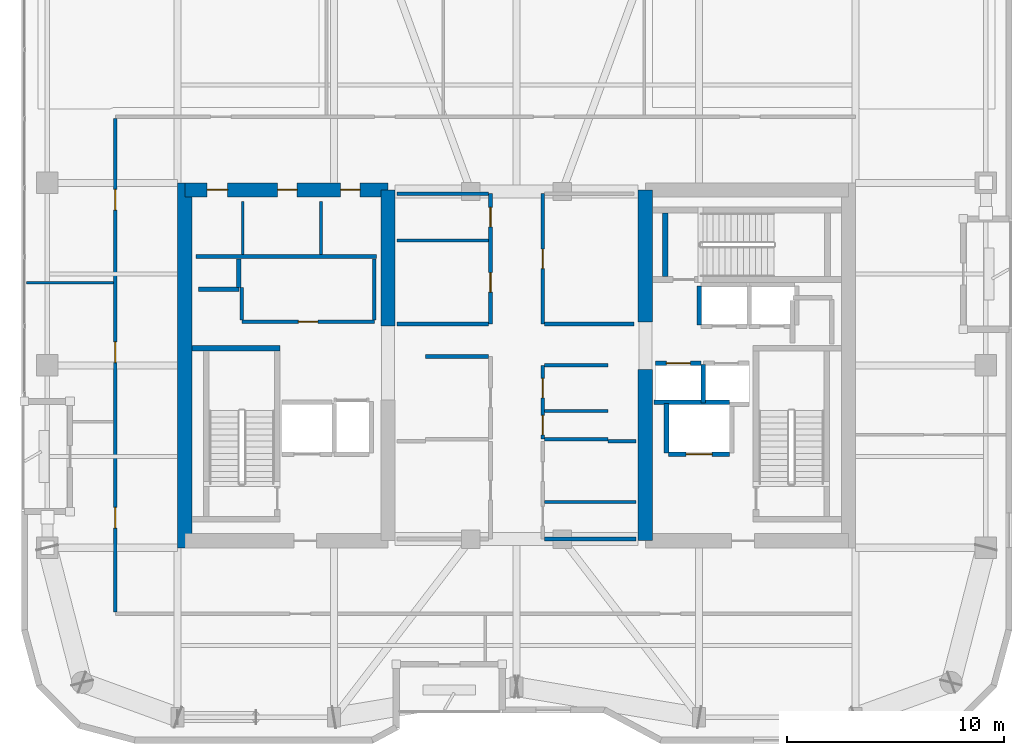
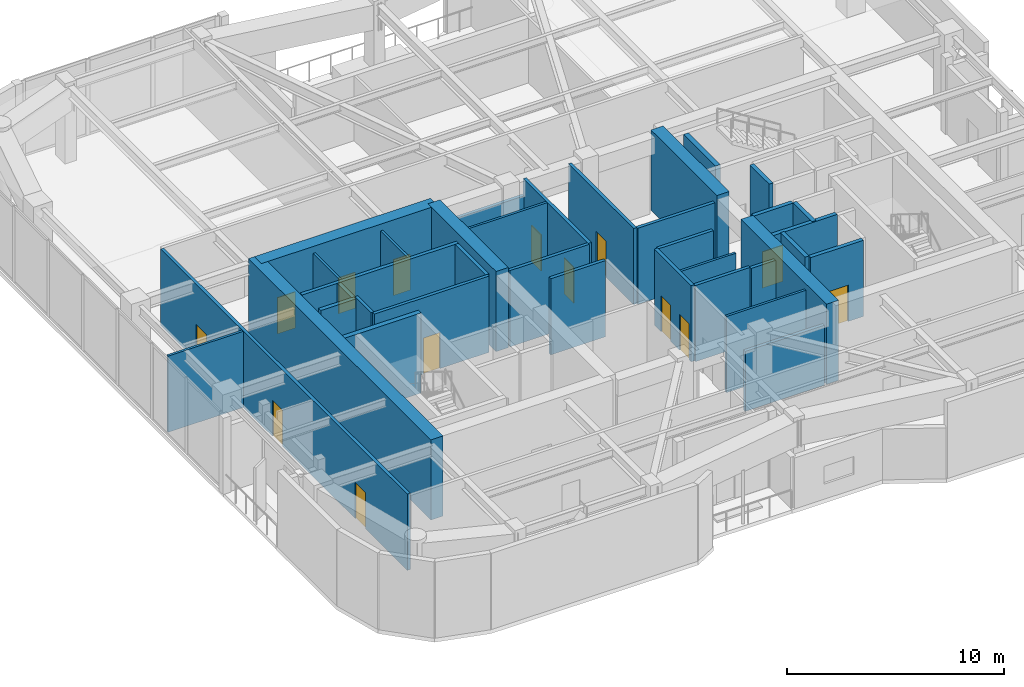
# One storey, part 14 of 19: 37 walls, 14 doors, 14 openings.
"""IFC4 building model written with IfcOpenShell, lengths in metres."""

from ifc_helpers import new_model, si_unit, direction, frame, frame_2d, origin, place, context, subcontext, project, spatial, rectangle, extrude, material, layer, layer_set, type_object, element, fill, save


model = new_model("IFC4")

# Units and contexts
model_context = context("Model", 3, precision=1e-05, world=origin(), true_north=direction((0.0, 1.0)))
body_context = subcontext(model_context, "Body", "Model", "MODEL_VIEW")
ifc_project = project(units=[si_unit("LENGTHUNIT", "METRE"), si_unit("AREAUNIT", "SQUARE_METRE"), si_unit("VOLUMEUNIT", "CUBIC_METRE"), si_unit("PLANEANGLEUNIT", "RADIAN"), si_unit("MASSUNIT", "GRAM", prefix="KILO")], contexts=[model_context])

# Site, building, storey
site_placement = place(None, origin())
site = spatial("IfcSite", under=ifc_project, at=site_placement, CompositionType="ELEMENT")
building_placement = place(site_placement, origin())
building = spatial("IfcBuilding", under=site, at=building_placement, Name="Kiyonajd Concourse Tower", CompositionType="ELEMENT")
storey_placement = place(building_placement, frame((0.0, 0.0, 238.800048828125)))
storey = spatial("IfcBuildingStorey", under=building, at=storey_placement, Name="L60", CompositionType="ELEMENT", Elevation=238.800048828125)

# Walls
ifc_material_1 = material(Name="Concrete C60/75", Category="concrete")
ifc_layer_1 = layer(ifc_material_1, 0.64990234375)
ifc_layer_set_1 = layer_set([ifc_layer_1], Name="Concrete C60/75")
wall_type_1 = type_object("IfcWallType", Name="WL-CORE-650", PredefinedType="SHEAR", material=ifc_layer_set_1)
wall_1_placement = place(storey_placement, frame((32.72509765625, 27.60009765625, 0.0), z_axis=(0.0, 0.0, 1.0), x_axis=(0.0, 1.0, 0.0)))
element("IfcWall", 1, at=wall_1_placement, inside=storey, type_object=wall_type_1, Name="L60 West Core Outer Shear Wall", PredefinedType="SHEAR", context=body_context, shape_type="SweptSolid", body=[
    extrude(rectangle(XDim=16.7998046875, YDim=0.64990234375, at=frame_2d((8.39990234375, 0.0))), origin(), (0.0, 0.0, 1.0), 4.5),
])
wall_2_placement = place(storey_placement, frame((42.074951171875, 37.800048828125, 0.0), z_axis=(0.0, 0.0, 1.0), x_axis=(0.0, 1.0, 0.0)))
element("IfcWall", 2, at=wall_2_placement, inside=storey, type_object=wall_type_1, Name="L60 West Core Inner North Shear Wall", PredefinedType="SHEAR", context=body_context, shape_type="SweptSolid", body=[
    extrude(rectangle(XDim=6.27490234375, YDim=0.64990234375, at=frame_2d((3.137451171875, 0.0))), origin(), (0.0, 0.0, 1.0), 4.5),
])

# Wall, openings, doors
wall_3_placement = place(storey_placement, frame((32.72509765625, 44.074951171875, 0.0), z_axis=(0.0, 0.0, 1.0), x_axis=(1.0, 0.0, 0.0)))
wall_3 = element("IfcWall", 3, at=wall_3_placement, inside=storey, type_object=wall_type_1, Name="L60 West Core North Shear Wall", PredefinedType="SHEAR", context=body_context, shape_type="SweptSolid", body=[
    extrude(rectangle(XDim=9.349853515625, YDim=0.64990234375, at=frame_2d((4.6748046875, 0.0))), origin(), (0.0, 0.0, 1.0), 4.5),
])
opening_1_placement = place(wall_3_placement, frame((1.02490234375, 0.0, 0.0)))
opening_1 = element("IfcOpeningElement", 4, at=opening_1_placement, cuts=wall_3, Name="Opening DI1", PredefinedType="OPENING", context=body_context, shape_type="SweptSolid", body=[
    extrude(rectangle(XDim=0.949951171875, YDim=2.0400390625, at=frame_2d((0.47509765625, 1.02001953125))), frame((0.0, 0.3349609375, 0.0), z_axis=(0.0, -1.0, 0.0), x_axis=(1.0, 0.0, 0.0)), (0.0, 0.0, 1.0), 0.669921875),
])
opening_2_placement = place(wall_3_placement, frame((4.27490234375, 0.0, 0.0)))
opening_2 = element("IfcOpeningElement", 5, at=opening_2_placement, cuts=wall_3, Name="Opening DI2", PredefinedType="OPENING", context=body_context, shape_type="SweptSolid", body=[
    extrude(rectangle(XDim=0.89990234375, YDim=2.02001953125, at=frame_2d((0.449951171875, 1.010009765625))), frame((0.0, 0.3349609375, 0.0), z_axis=(0.0, -1.0, 0.0), x_axis=(1.0, 0.0, 0.0)), (0.0, 0.0, 1.0), 0.669921875),
])
opening_3_placement = place(wall_3_placement, frame((7.175048828125, 0.0, 0.0)))
opening_3 = element("IfcOpeningElement", 6, at=opening_3_placement, cuts=wall_3, Name="Opening DI2", PredefinedType="OPENING", context=body_context, shape_type="SweptSolid", body=[
    extrude(rectangle(XDim=0.89990234375, YDim=2.02001953125, at=frame_2d((0.449951171875, 1.010009765625))), frame((0.0, 0.3349609375, 0.0), z_axis=(0.0, -1.0, 0.0), x_axis=(1.0, 0.0, 0.0)), (0.0, 0.0, 1.0), 0.669921875),
])
ifc_material_2 = material(Name="Natural Oak Acoustic Timber Veneer", Category="wood")
door_type_1 = type_object("IfcDoorType", Name="DR-INT-900", OperationType="NOTDEFINED", PredefinedType="DOOR", material=ifc_material_2)
door_1_placement = place(opening_2_placement, origin())
door_1 = element("IfcDoor", 7, at=door_1_placement, inside=storey, type_object=door_type_1, Name="L60 Male Restroom Door", OperationType="SINGLE_SWING_RIGHT", OverallHeight=2.02001953125, OverallWidth=0.89990234375, PredefinedType="DOOR", context=body_context, shape_type="SweptSolid", body=[
    extrude(rectangle(XDim=0.89990234375, YDim=2.02001953125, at=frame_2d((0.449951171875, 1.010009765625))), frame((0.0, 0.02490234375, 0.0), z_axis=(0.0, -1.0, 0.0), x_axis=(1.0, 0.0, 0.0)), (0.0, 0.0, 1.0), 0.050048828125),
])
fill(opening_2, door_1)
door_2_placement = place(opening_3_placement, origin())
door_2 = element("IfcDoor", 8, at=door_2_placement, inside=storey, type_object=door_type_1, Name="L60 Female Restroom Door", OperationType="SINGLE_SWING_LEFT", OverallHeight=2.02001953125, OverallWidth=0.89990234375, PredefinedType="DOOR", context=body_context, shape_type="SweptSolid", body=[
    extrude(rectangle(XDim=0.89990234375, YDim=2.02001953125, at=frame_2d((0.449951171875, 1.010009765625))), frame((0.0, 0.02490234375, 0.0), z_axis=(0.0, -1.0, 0.0), x_axis=(1.0, 0.0, 0.0)), (0.0, 0.0, 1.0), 0.050048828125),
])
fill(opening_3, door_2)
door_type_2 = type_object("IfcDoorType", Name="DR-INT-950", OperationType="NOTDEFINED", PredefinedType="DOOR", material=ifc_material_2)
door_3_placement = place(opening_1_placement, origin())
door_3 = element("IfcDoor", 9, at=door_3_placement, inside=storey, type_object=door_type_2, Name="L60 Single User Accessible WC Door", OperationType="SINGLE_SWING_LEFT", OverallHeight=2.0400390625, OverallWidth=0.949951171875, PredefinedType="DOOR", context=body_context, shape_type="SweptSolid", body=[
    extrude(rectangle(XDim=0.949951171875, YDim=2.0400390625, at=frame_2d((0.47509765625, 1.02001953125))), frame((0.0, 0.02490234375, 0.0), z_axis=(0.0, -1.0, 0.0), x_axis=(1.0, 0.0, 0.0)), (0.0, 0.0, 1.0), 0.050048828125),
])
fill(opening_1, door_3)

# Walls
wall_4_placement = place(storey_placement, frame((53.925048828125, 27.925048828125, 0.0), z_axis=(0.0, 0.0, 1.0), x_axis=(0.0, 1.0, 0.0)))
element("IfcWall", 10, at=wall_4_placement, inside=storey, type_object=wall_type_1, Name="L60 East Core Inner South Shear Wall", PredefinedType="SHEAR", context=body_context, shape_type="SweptSolid", body=[
    extrude(rectangle(XDim=7.875, YDim=0.64990234375, at=frame_2d((3.9375, 0.0))), origin(), (0.0, 0.0, 1.0), 4.5),
])
wall_5_placement = place(storey_placement, frame((53.925048828125, 38.0, 0.0), z_axis=(0.0, 0.0, 1.0), x_axis=(0.0, 1.0, 0.0)))
element("IfcWall", 11, at=wall_5_placement, inside=storey, type_object=wall_type_1, Name="L60 East Core Inner North Shear Wall", PredefinedType="SHEAR", context=body_context, shape_type="SweptSolid", body=[
    extrude(rectangle(XDim=6.074951171875, YDim=0.64990234375, at=frame_2d((3.03759765625, 0.0))), origin(), (0.0, 0.0, 1.0), 4.5),
])
ifc_material_3 = material(Name="Gypsum Board on Cold-Formed Steel Stud", Category="steel")
ifc_layer_2 = layer(ifc_material_3, 0.125)
ifc_layer_set_2 = layer_set([ifc_layer_2], Name="Gypsum Board on Cold-Formed Steel Stud")
wall_type_2 = type_object("IfcWallType", Name="WL-PART-125", PredefinedType="PARTITIONING", material=ifc_layer_set_2)
for number, where, z_axis, x_axis, name in (
    (12, (35.39990234375, 41.094970703125, 0.0), (0.0, 0.0, 1.0), (0.0, 1.0, 0.0), "L60 Interior Partition Wall"),
    (13, (39.0, 41.094970703125, 0.0), (0.0, 0.0, 1.0), (0.0, 1.0, 0.0), "L60 Interior Partition Wall"),
):
    element("IfcWall", number, at=place(storey_placement, frame(where, z_axis=z_axis, x_axis=x_axis)), inside=storey, type_object=wall_type_2, Name=name, PredefinedType="PARTITIONING", context=body_context, shape_type="SweptSolid", body=[
        extrude(rectangle(XDim=2.455078125, YDim=0.125, at=frame_2d((1.2275390625, 0.0))), origin(), (0.0, 0.0, 1.0), 4.280029296875),
    ])
wall_6_placement = place(storey_placement, frame((49.287109375, 33.89208984375, 0.0), z_axis=(0.0, 0.0, 1.0), x_axis=(1.0, 0.0, 0.0)))
element("IfcWall", 14, at=wall_6_placement, inside=storey, type_object=wall_type_2, Name="L60 Interior Partition Wall", PredefinedType="PARTITIONING", context=body_context, shape_type="SweptSolid", body=[
    extrude(rectangle(XDim=2.912841796875, YDim=0.125, at=frame_2d((1.45654296875, 0.0))), origin(), (0.0, 0.0, 1.0), 4.280029296875),
])
for number, where, z_axis, x_axis, name in (
    (15, (49.287109375, 29.7099609375, 0.0), (0.0, 0.0, 1.0), (1.0, 0.0, 0.0), "L60 Interior Partition Wall"),
    (16, (42.5, 41.739990234375, 0.0), (0.0, 0.0, 1.0), (1.0, 0.0, 0.0), "L60 Interior Partition Wall"),
):
    element("IfcWall", number, at=place(storey_placement, frame(where, z_axis=z_axis, x_axis=x_axis)), inside=storey, type_object=wall_type_2, Name=name, PredefinedType="PARTITIONING", context=body_context, shape_type="SweptSolid", body=[
        extrude(rectangle(XDim=4.212890625, YDim=0.125, at=frame_2d((2.1064453125, 0.0))), origin(), (0.0, 0.0, 1.0), 4.280029296875),
    ])
wall_7_placement = place(storey_placement, frame((25.445068359375, 39.800048828125, 0.0), z_axis=(0.0, 0.0, 1.0), x_axis=(1.0, 0.0, 0.0)))
element("IfcWall", 17, at=wall_7_placement, inside=storey, type_object=wall_type_2, Name="L60 Interior Partition Wall", PredefinedType="PARTITIONING", context=body_context, shape_type="SweptSolid", body=[
    extrude(rectangle(XDim=3.992919921875, YDim=0.125, at=frame_2d((1.99658203125, 0.0))), origin(), (0.0, 0.0, 1.0), 4.280029296875),
])
ifc_layer_3 = layer(ifc_material_3, 0.18994140625)
ifc_layer_set_3 = layer_set([ifc_layer_3], Name="Gypsum Board on Cold-Formed Steel Stud")
wall_type_3 = type_object("IfcWallType", Name="WL-PLMB-190", PredefinedType="PLUMBINGWALL", material=ifc_layer_set_3)
wall_8_placement = place(storey_placement, frame((33.25, 41.0, 0.0), z_axis=(0.0, 0.0, 1.0), x_axis=(1.0, 0.0, 0.0)))
element("IfcWall", 18, at=wall_8_placement, inside=storey, type_object=wall_type_3, Name="L60 Interior Partition Wall", PredefinedType="PLUMBINGWALL", context=body_context, shape_type="SweptSolid", body=[
    extrude(rectangle(XDim=8.300048828125, YDim=0.18994140625, at=frame_2d((4.14990234375, 0.0))), origin(), (0.0, 0.0, 1.0), 4.280029296875),
])
ifc_layer_4 = layer(ifc_material_3, 0.2099609375)
ifc_layer_set_4 = layer_set([ifc_layer_4], Name="Gypsum Board on Cold-Formed Steel Stud")
wall_type_4 = type_object("IfcWallType", Name="WL-SHAFT-210", PredefinedType="PARTITIONING", material=ifc_layer_set_4)
wall_9_placement = place(storey_placement, frame((33.360107421875, 39.5, 0.0), z_axis=(0.0, 0.0, 1.0), x_axis=(1.0, 0.0, 0.0)))
element("IfcWall", 19, at=wall_9_placement, inside=storey, type_object=wall_type_4, Name="L60 Shaft Enclosure Wall", PredefinedType="PARTITIONING", context=body_context, shape_type="SweptSolid", body=[
    extrude(rectangle(XDim=1.85986328125, YDim=0.2099609375, at=frame_2d((0.929931640625, 0.0))), origin(), (0.0, 0.0, 1.0), 4.280029296875),
])
wall_10_placement = place(storey_placement, frame((35.199951171875, 39.580078125, 0.0), z_axis=(0.0, 0.0, 1.0), x_axis=(0.0, 1.0, 0.0)))
element("IfcWall", 20, at=wall_10_placement, inside=storey, type_object=wall_type_4, Name="L60 Shaft Enclosure Wall", PredefinedType="PARTITIONING", context=body_context, shape_type="SweptSolid", body=[
    extrude(rectangle(XDim=1.31982421875, YDim=0.2099609375, at=frame_2d((0.659912109375, 0.0))), origin(), (0.0, 0.0, 1.0), 4.280029296875),
])

# Wall, opening, door
wall_11_placement = place(storey_placement, frame((55.0, 31.89990234375, 0.0), z_axis=(0.0, 0.0, 1.0), x_axis=(1.0, 0.0, 0.0)))
wall_11 = element("IfcWall", 21, at=wall_11_placement, inside=storey, type_object=wall_type_4, Name="L60 Shaft Enclosure Wall", PredefinedType="PARTITIONING", context=body_context, shape_type="SweptSolid", body=[
    extrude(rectangle(XDim=2.800048828125, YDim=0.2099609375, at=frame_2d((1.39990234375, 0.0))), origin(), (0.0, 0.0, 1.0), 4.280029296875),
])
opening_4_placement = place(wall_11_placement, frame((0.800048828125, 0.0, 0.0)))
opening_4 = element("IfcOpeningElement", 22, at=opening_4_placement, cuts=wall_11, Name="Opening LD2", PredefinedType="OPENING", context=body_context, shape_type="SweptSolid", body=[
    extrude(rectangle(XDim=1.199951171875, YDim=2.0400390625, at=frame_2d((0.60009765625, 1.02001953125))), frame((0.0, 0.114990234375, 0.0), z_axis=(0.0, -1.0, 0.0), x_axis=(1.0, 0.0, 0.0)), (0.0, 0.0, 1.0), 0.22998046875),
])
ifc_material_4 = material(Name="Brushed Stainless Steel Cab Assembly", Category="steel")
door_type_3 = type_object("IfcDoorType", Name="DR-LD-1200", OperationType="DOUBLE_DOOR_SLIDING", PredefinedType="DOOR", material=ifc_material_4)
door_4_placement = place(opening_4_placement, origin())
door_4 = element("IfcDoor", 23, at=door_4_placement, inside=storey, type_object=door_type_3, Name="L60 Lift FFL2 Sliding Landing Door", OperationType="DOUBLE_DOOR_SLIDING", OverallHeight=2.0400390625, OverallWidth=1.199951171875, PredefinedType="DOOR", context=body_context, shape_type="SweptSolid", body=[
    extrude(rectangle(XDim=1.199951171875, YDim=2.0400390625, at=frame_2d((0.60009765625, 1.02001953125))), frame((0.0, 0.02490234375, 0.0), z_axis=(0.0, -1.0, 0.0), x_axis=(1.0, 0.0, 0.0)), (0.0, 0.0, 1.0), 0.050048828125),
])
fill(opening_4, door_4)

# Walls
wall_12_placement = place(storey_placement, frame((54.320068359375, 34.300048828125, 0.0), z_axis=(0.0, 0.0, 1.0), x_axis=(1.0, 0.0, 0.0)))
element("IfcWall", 24, at=wall_12_placement, inside=storey, type_object=wall_type_4, Name="L60 Shaft Enclosure Wall", PredefinedType="PARTITIONING", context=body_context, shape_type="SweptSolid", body=[
    extrude(rectangle(XDim=3.47998046875, YDim=0.2099609375, at=frame_2d((1.739990234375, 0.0))), origin(), (0.0, 0.0, 1.0), 4.280029296875),
])
wall_13_placement = place(storey_placement, frame((54.89990234375, 31.9599609375, 0.0), z_axis=(0.0, 0.0, 1.0), x_axis=(0.0, 1.0, 0.0)))
element("IfcWall", 25, at=wall_13_placement, inside=storey, type_object=wall_type_4, Name="L60 Shaft Enclosure Wall", PredefinedType="PARTITIONING", context=body_context, shape_type="SweptSolid", body=[
    extrude(rectangle(XDim=2.280029296875, YDim=0.2099609375, at=frame_2d((1.14013671875, 0.0))), origin(), (0.0, 0.0, 1.0), 4.280029296875),
])

# Wall, opening, door
wall_14_placement = place(storey_placement, frame((54.39990234375, 36.10009765625, 0.0), z_axis=(0.0, 0.0, 1.0), x_axis=(1.0, 0.0, 0.0)))
wall_14 = element("IfcWall", 26, at=wall_14_placement, inside=storey, type_object=wall_type_4, Name="L60 Shaft Enclosure Wall", PredefinedType="PARTITIONING", context=body_context, shape_type="SweptSolid", body=[
    extrude(rectangle(XDim=2.10009765625, YDim=0.2099609375, at=frame_2d((1.050048828125, 0.0))), origin(), (0.0, 0.0, 1.0), 4.280029296875),
])
opening_5_placement = place(wall_14_placement, frame((0.5, 0.0, 0.0)))
opening_5 = element("IfcOpeningElement", 27, at=opening_5_placement, cuts=wall_14, Name="Opening LD1", PredefinedType="OPENING", context=body_context, shape_type="SweptSolid", body=[
    extrude(rectangle(XDim=1.10009765625, YDim=2.0400390625, at=frame_2d((0.550048828125, 1.02001953125))), frame((0.0, 0.114990234375, 0.0), z_axis=(0.0, -1.0, 0.0), x_axis=(1.0, 0.0, 0.0)), (0.0, 0.0, 1.0), 0.22998046875),
])
door_type_4 = type_object("IfcDoorType", Name="DR-LD-1100", OperationType="DOUBLE_DOOR_SLIDING", PredefinedType="DOOR", material=ifc_material_4)
door_5_placement = place(opening_5_placement, origin())
door_5 = element("IfcDoor", 28, at=door_5_placement, inside=storey, type_object=door_type_4, Name="L60 Lift PL-H1 Sliding Landing Door", OperationType="DOUBLE_DOOR_SLIDING", OverallHeight=2.0400390625, OverallWidth=1.10009765625, PredefinedType="DOOR", context=body_context, shape_type="SweptSolid", body=[
    extrude(rectangle(XDim=1.10009765625, YDim=2.0400390625, at=frame_2d((0.550048828125, 1.02001953125))), frame((0.0, 0.02490234375, 0.0), z_axis=(0.0, -1.0, 0.0), x_axis=(1.0, 0.0, 0.0)), (0.0, 0.0, 1.0), 0.050048828125),
])
fill(opening_5, door_5)

# Walls
wall_15_placement = place(storey_placement, frame((56.60009765625, 34.260009765625, 0.0), z_axis=(0.0, 0.0, 1.0), x_axis=(0.0, 1.0, 0.0)))
element("IfcWall", 29, at=wall_15_placement, inside=storey, type_object=wall_type_4, Name="L60 Shaft Enclosure Wall", PredefinedType="PARTITIONING", context=body_context, shape_type="SweptSolid", body=[
    extrude(rectangle(XDim=1.780029296875, YDim=0.2099609375, at=frame_2d((0.89013671875, 0.0))), origin(), (0.0, 0.0, 1.0), 4.280029296875),
])
wall_16_placement = place(storey_placement, frame((56.39990234375, 37.860107421875, 0.0), z_axis=(0.0, 0.0, 1.0), x_axis=(0.0, 1.0, 0.0)))
element("IfcWall", 30, at=wall_16_placement, inside=storey, type_object=wall_type_4, Name="L60 Shaft Enclosure Wall", PredefinedType="PARTITIONING", context=body_context, shape_type="SweptSolid", body=[
    extrude(rectangle(XDim=1.77978515625, YDim=0.2099609375, at=frame_2d((0.889892578125, 0.0))), origin(), (0.0, 0.0, 1.0), 4.280029296875),
])

# Wall, opening, door
ifc_layer_5 = layer(ifc_material_3, 0.169921875)
ifc_layer_set_5 = layer_set([ifc_layer_5], Name="Gypsum Board on Cold-Formed Steel Stud")
wall_type_5 = type_object("IfcWallType", Name="WL-SMK-170", PredefinedType="PARTITIONING", material=ifc_layer_set_5)
wall_17_placement = place(storey_placement, frame((35.35009765625, 38.0, 0.0), z_axis=(0.0, 0.0, 1.0), x_axis=(1.0, 0.0, 0.0)))
wall_17 = element("IfcWall", 31, at=wall_17_placement, inside=storey, type_object=wall_type_5, Name="L60 Interior Partition Wall", PredefinedType="PARTITIONING", context=body_context, shape_type="SweptSolid", body=[
    extrude(rectangle(XDim=6.099853515625, YDim=0.169921875, at=frame_2d((3.0498046875, 0.0))), origin(), (0.0, 0.0, 1.0), 4.280029296875),
])
opening_6_placement = place(wall_17_placement, frame((2.60009765625, 0.0, 0.0)))
opening_6 = element("IfcOpeningElement", 32, at=opening_6_placement, cuts=wall_17, Name="Opening DI2", PredefinedType="OPENING", context=body_context, shape_type="SweptSolid", body=[
    extrude(rectangle(XDim=0.89990234375, YDim=2.02001953125, at=frame_2d((0.449951171875, 1.010009765625))), frame((0.0, 0.094970703125, 0.0), z_axis=(0.0, -1.0, 0.0), x_axis=(1.0, 0.0, 0.0)), (0.0, 0.0, 1.0), 0.18994140625),
])
door_6_placement = place(opening_6_placement, origin())
door_6 = element("IfcDoor", 33, at=door_6_placement, inside=storey, type_object=door_type_1, Name="L60 Interior Door", OperationType="SINGLE_SWING_RIGHT", OverallHeight=2.02001953125, OverallWidth=0.89990234375, PredefinedType="DOOR", context=body_context, shape_type="SweptSolid", body=[
    extrude(rectangle(XDim=0.89990234375, YDim=2.02001953125, at=frame_2d((0.449951171875, 1.010009765625))), frame((0.0, 0.02490234375, 0.0), z_axis=(0.0, -1.0, 0.0), x_axis=(1.0, 0.0, 0.0)), (0.0, 0.0, 1.0), 0.050048828125),
])
fill(opening_6, door_6)

# Walls
wall_18_placement = place(storey_placement, frame((35.35009765625, 38.0869140625, 0.0), z_axis=(0.0, 0.0, 1.0), x_axis=(0.0, 1.0, 0.0)))
element("IfcWall", 34, at=wall_18_placement, inside=storey, type_object=wall_type_5, Name="L60 Interior Partition Wall", PredefinedType="PARTITIONING", context=body_context, shape_type="SweptSolid", body=[
    extrude(rectangle(XDim=1.4931640625, YDim=0.169921875, at=frame_2d((0.74658203125, 0.0))), origin(), (0.0, 0.0, 1.0), 4.280029296875),
])
wall_19_placement = place(storey_placement, frame((41.449951171875, 38.0869140625, 0.0), z_axis=(0.0, 0.0, 1.0), x_axis=(0.0, 1.0, 0.0)))
element("IfcWall", 35, at=wall_19_placement, inside=storey, type_object=wall_type_5, Name="L60 Interior Partition Wall", PredefinedType="PARTITIONING", context=body_context, shape_type="SweptSolid", body=[
    extrude(rectangle(XDim=2.81298828125, YDim=0.169921875, at=frame_2d((1.406494140625, 0.0))), origin(), (0.0, 0.0, 1.0), 4.280029296875),
])
wall_20_placement = place(storey_placement, frame((43.800048828125, 36.39990234375, 0.0), z_axis=(0.0, 0.0, 1.0), x_axis=(1.0, 0.0, 0.0)))
element("IfcWall", 36, at=wall_20_placement, inside=storey, type_object=wall_type_5, Name="L60 Interior Partition Wall", PredefinedType="PARTITIONING", context=body_context, shape_type="SweptSolid", body=[
    extrude(rectangle(XDim=2.912841796875, YDim=0.169921875, at=frame_2d((1.45654296875, 0.0))), origin(), (0.0, 0.0, 1.0), 4.280029296875),
])

# Wall, openings, doors
wall_21_placement = place(storey_placement, frame((49.199951171875, 32.60009765625, 0.0), z_axis=(0.0, 0.0, 1.0), x_axis=(0.0, 1.0, 0.0)))
wall_21 = element("IfcWall", 37, at=wall_21_placement, inside=storey, type_object=wall_type_5, Name="L60 Interior Partition Wall", PredefinedType="PARTITIONING", context=body_context, shape_type="SweptSolid", body=[
    extrude(rectangle(XDim=3.39990234375, YDim=0.169921875, at=frame_2d((1.699951171875, 0.0))), origin(), (0.0, 0.0, 1.0), 4.280029296875),
])
opening_7_placement = place(wall_21_placement, frame((0.196044921875, 0.0, 0.0)))
opening_7 = element("IfcOpeningElement", 38, at=opening_7_placement, cuts=wall_21, Name="Opening DI2", PredefinedType="OPENING", context=body_context, shape_type="SweptSolid", body=[
    extrude(rectangle(XDim=0.89990234375, YDim=2.02001953125, at=frame_2d((0.449951171875, 1.010009765625))), frame((0.0, 0.094970703125, 0.0), z_axis=(0.0, -1.0, 0.0), x_axis=(1.0, 0.0, 0.0)), (0.0, 0.0, 1.0), 0.18994140625),
])
opening_8_placement = place(wall_21_placement, frame((1.89599609375, 0.0, 0.0)))
opening_8 = element("IfcOpeningElement", 39, at=opening_8_placement, cuts=wall_21, Name="Opening DI2", PredefinedType="OPENING", context=body_context, shape_type="SweptSolid", body=[
    extrude(rectangle(XDim=0.89990234375, YDim=2.02001953125, at=frame_2d((0.449951171875, 1.010009765625))), frame((0.0, 0.094970703125, 0.0), z_axis=(0.0, -1.0, 0.0), x_axis=(1.0, 0.0, 0.0)), (0.0, 0.0, 1.0), 0.18994140625),
])
door_7_placement = place(opening_7_placement, origin())
door_7 = element("IfcDoor", 40, at=door_7_placement, inside=storey, type_object=door_type_1, Name="L60 Interior Door", OperationType="SINGLE_SWING_RIGHT", OverallHeight=2.02001953125, OverallWidth=0.89990234375, PredefinedType="DOOR", context=body_context, shape_type="SweptSolid", body=[
    extrude(rectangle(XDim=0.89990234375, YDim=2.02001953125, at=frame_2d((0.449951171875, 1.010009765625))), frame((0.0, 0.02490234375, 0.0), z_axis=(0.0, -1.0, 0.0), x_axis=(1.0, 0.0, 0.0)), (0.0, 0.0, 1.0), 0.050048828125),
])
fill(opening_7, door_7)
door_8_placement = place(opening_8_placement, origin())
door_8 = element("IfcDoor", 41, at=door_8_placement, inside=storey, type_object=door_type_1, Name="L60 Interior Door", OperationType="SINGLE_SWING_LEFT", OverallHeight=2.02001953125, OverallWidth=0.89990234375, PredefinedType="DOOR", context=body_context, shape_type="SweptSolid", body=[
    extrude(rectangle(XDim=0.89990234375, YDim=2.02001953125, at=frame_2d((0.449951171875, 1.010009765625))), frame((0.0, 0.02490234375, 0.0), z_axis=(0.0, -1.0, 0.0), x_axis=(1.0, 0.0, 0.0)), (0.0, 0.0, 1.0), 0.050048828125),
])
fill(opening_8, door_8)

# Walls
for number, where, z_axis, x_axis, name in (
    (42, (49.287109375, 32.60009765625, 0.0), (0.0, 0.0, 1.0), (1.0, 0.0, 0.0), "L60 Interior Partition Wall"),
    (43, (49.287109375, 36.0, 0.0), (0.0, 0.0, 1.0), (1.0, 0.0, 0.0), "L60 Interior Partition Wall"),
):
    element("IfcWall", number, at=place(storey_placement, frame(where, z_axis=z_axis, x_axis=x_axis)), inside=storey, type_object=wall_type_5, Name=name, PredefinedType="PARTITIONING", context=body_context, shape_type="SweptSolid", body=[
        extrude(rectangle(XDim=2.912841796875, YDim=0.169921875, at=frame_2d((1.45654296875, 0.0))), origin(), (0.0, 0.0, 1.0), 4.280029296875),
    ])
wall_22_placement = place(storey_placement, frame((49.287109375, 28.0, 0.0), z_axis=(0.0, 0.0, 1.0), x_axis=(1.0, 0.0, 0.0)))
element("IfcWall", 44, at=wall_22_placement, inside=storey, type_object=wall_type_5, Name="L60 Interior Partition Wall", PredefinedType="PARTITIONING", context=body_context, shape_type="SweptSolid", body=[
    extrude(rectangle(XDim=4.212890625, YDim=0.169921875, at=frame_2d((2.1064453125, 0.0))), origin(), (0.0, 0.0, 1.0), 3.364990234375),
])
wall_23_placement = place(storey_placement, frame((52.199951171875, 32.5, 0.0), z_axis=(0.0, 0.0, 1.0), x_axis=(1.0, 0.0, 0.0)))
element("IfcWall", 45, at=wall_23_placement, inside=storey, type_object=wall_type_5, Name="L60 Interior Partition Wall", PredefinedType="PARTITIONING", context=body_context, shape_type="SweptSolid", body=[
    extrude(rectangle(XDim=1.300048828125, YDim=0.169921875, at=frame_2d((0.64990234375, 0.0))), origin(), (0.0, 0.0, 1.0), 4.280029296875),
])

# Wall, openings, doors
wall_24_placement = place(storey_placement, frame((46.800048828125, 37.89990234375, 0.0), z_axis=(0.0, 0.0, 1.0), x_axis=(0.0, 1.0, 0.0)))
wall_24 = element("IfcWall", 46, at=wall_24_placement, inside=storey, type_object=wall_type_5, Name="L60 Interior Partition Wall", PredefinedType="PARTITIONING", context=body_context, shape_type="SweptSolid", body=[
    extrude(rectangle(XDim=6.0, YDim=0.169921875, at=frame_2d((3.0, 0.0))), origin(), (0.0, 0.0, 1.0), 4.280029296875),
])
opening_9_placement = place(wall_24_placement, frame((1.469970703125, 0.0, 0.0)))
opening_9 = element("IfcOpeningElement", 47, at=opening_9_placement, cuts=wall_24, Name="Opening DF4", PredefinedType="OPENING", context=body_context, shape_type="SweptSolid", body=[
    extrude(rectangle(XDim=0.89990234375, YDim=2.02001953125, at=frame_2d((0.449951171875, 1.010009765625))), frame((0.0, 0.094970703125, 0.0), z_axis=(0.0, -1.0, 0.0), x_axis=(1.0, 0.0, 0.0)), (0.0, 0.0, 1.0), 0.18994140625),
])
opening_10_placement = place(wall_24_placement, frame((4.469970703125, 0.0, 0.0)))
opening_10 = element("IfcOpeningElement", 48, at=opening_10_placement, cuts=wall_24, Name="Opening DF4", PredefinedType="OPENING", context=body_context, shape_type="SweptSolid", body=[
    extrude(rectangle(XDim=0.89990234375, YDim=2.02001953125, at=frame_2d((0.449951171875, 1.010009765625))), frame((0.0, 0.094970703125, 0.0), z_axis=(0.0, -1.0, 0.0), x_axis=(1.0, 0.0, 0.0)), (0.0, 0.0, 1.0), 0.18994140625),
])
door_type_5 = type_object("IfcDoorType", Name="DR-FD60-900", OperationType="NOTDEFINED", PredefinedType="DOOR", material=ifc_material_4)
door_9_placement = place(opening_9_placement, origin())
door_9 = element("IfcDoor", 49, at=door_9_placement, inside=storey, type_object=door_type_5, Name="L60 Interior Door", OperationType="SINGLE_SWING_LEFT", OverallHeight=2.02001953125, OverallWidth=0.89990234375, PredefinedType="DOOR", context=body_context, shape_type="SweptSolid", body=[
    extrude(rectangle(XDim=0.89990234375, YDim=2.02001953125, at=frame_2d((0.449951171875, 1.010009765625))), frame((0.0, 0.02490234375, 0.0), z_axis=(0.0, -1.0, 0.0), x_axis=(1.0, 0.0, 0.0)), (0.0, 0.0, 1.0), 0.050048828125),
])
fill(opening_9, door_9)
door_10_placement = place(opening_10_placement, origin())
door_10 = element("IfcDoor", 50, at=door_10_placement, inside=storey, type_object=door_type_5, Name="L60 Interior Door", OperationType="SINGLE_SWING_RIGHT", OverallHeight=2.02001953125, OverallWidth=0.89990234375, PredefinedType="DOOR", context=body_context, shape_type="SweptSolid", body=[
    extrude(rectangle(XDim=0.89990234375, YDim=2.02001953125, at=frame_2d((0.449951171875, 1.010009765625))), frame((0.0, 0.02490234375, 0.0), z_axis=(0.0, -1.0, 0.0), x_axis=(1.0, 0.0, 0.0)), (0.0, 0.0, 1.0), 0.050048828125),
])
fill(opening_10, door_10)

# Walls
wall_25_placement = place(storey_placement, frame((42.5, 37.89990234375, 0.0), z_axis=(0.0, 0.0, 1.0), x_axis=(1.0, 0.0, 0.0)))
element("IfcWall", 51, at=wall_25_placement, inside=storey, type_object=wall_type_5, Name="L60 Interior Partition Wall", PredefinedType="PARTITIONING", context=body_context, shape_type="SweptSolid", body=[
    extrude(rectangle(XDim=4.212890625, YDim=0.169921875, at=frame_2d((2.1064453125, 0.0))), origin(), (0.0, 0.0, 1.0), 4.280029296875),
])
wall_26_placement = place(storey_placement, frame((42.5, 43.89990234375, 0.0), z_axis=(0.0, 0.0, 1.0), x_axis=(1.0, 0.0, 0.0)))
element("IfcWall", 52, at=wall_26_placement, inside=storey, type_object=wall_type_5, Name="L60 Interior Partition Wall", PredefinedType="PARTITIONING", context=body_context, shape_type="SweptSolid", body=[
    extrude(rectangle(XDim=4.212890625, YDim=0.169921875, at=frame_2d((2.1064453125, 0.0))), origin(), (0.0, 0.0, 1.0), 3.364990234375),
])

# Wall, opening, door
wall_27_placement = place(storey_placement, frame((49.199951171875, 37.89990234375, 0.0), z_axis=(0.0, 0.0, 1.0), x_axis=(0.0, 1.0, 0.0)))
wall_27 = element("IfcWall", 53, at=wall_27_placement, inside=storey, type_object=wall_type_5, Name="L60 Interior Partition Wall", PredefinedType="PARTITIONING", context=body_context, shape_type="SweptSolid", body=[
    extrude(rectangle(XDim=6.0, YDim=0.169921875, at=frame_2d((3.0, 0.0))), origin(), (0.0, 0.0, 1.0), 4.280029296875),
])
opening_11_placement = place(wall_27_placement, frame((2.550048828125, 0.0, 0.0)))
opening_11 = element("IfcOpeningElement", 54, at=opening_11_placement, cuts=wall_27, Name="Opening DI2", PredefinedType="OPENING", context=body_context, shape_type="SweptSolid", body=[
    extrude(rectangle(XDim=0.89990234375, YDim=2.02001953125, at=frame_2d((0.449951171875, 1.010009765625))), frame((0.0, 0.094970703125, 0.0), z_axis=(0.0, -1.0, 0.0), x_axis=(1.0, 0.0, 0.0)), (0.0, 0.0, 1.0), 0.18994140625),
])
door_11_placement = place(opening_11_placement, origin())
door_11 = element("IfcDoor", 55, at=door_11_placement, inside=storey, type_object=door_type_1, Name="L60 Interior Door", OperationType="SINGLE_SWING_LEFT", OverallHeight=2.02001953125, OverallWidth=0.89990234375, PredefinedType="DOOR", context=body_context, shape_type="SweptSolid", body=[
    extrude(rectangle(XDim=0.89990234375, YDim=2.02001953125, at=frame_2d((0.449951171875, 1.010009765625))), frame((0.0, 0.02490234375, 0.0), z_axis=(0.0, -1.0, 0.0), x_axis=(1.0, 0.0, 0.0)), (0.0, 0.0, 1.0), 0.050048828125),
])
fill(opening_11, door_11)

# Wall
wall_28_placement = place(storey_placement, frame((49.287109375, 37.89990234375, 0.0), z_axis=(0.0, 0.0, 1.0), x_axis=(1.0, 0.0, 0.0)))
element("IfcWall", 56, at=wall_28_placement, inside=storey, type_object=wall_type_5, Name="L60 Interior Partition Wall", PredefinedType="PARTITIONING", context=body_context, shape_type="SweptSolid", body=[
    extrude(rectangle(XDim=4.11279296875, YDim=0.169921875, at=frame_2d((2.056396484375, 0.0))), origin(), (0.0, 0.0, 1.0), 4.280029296875),
])

# Wall, openings, doors
wall_29_placement = place(storey_placement, frame((29.52490234375, 24.64697265625, 0.0), z_axis=(0.0, 0.0, 1.0), x_axis=(0.0, 1.0, 0.0)))
wall_29 = element("IfcWall", 57, at=wall_29_placement, inside=storey, type_object=wall_type_5, Name="L60 Interior Partition Wall", PredefinedType="PARTITIONING", context=body_context, shape_type="SweptSolid", body=[
    extrude(rectangle(XDim=22.7060546875, YDim=0.169921875, at=frame_2d((11.35302734375, 0.0))), origin(), (0.0, 0.0, 1.0), 4.280029296875),
])
opening_12_placement = place(wall_29_placement, frame((3.85791015625, 0.0, 0.0)))
opening_12 = element("IfcOpeningElement", 58, at=opening_12_placement, cuts=wall_29, Name="Opening DI1", PredefinedType="OPENING", context=body_context, shape_type="SweptSolid", body=[
    extrude(rectangle(XDim=0.949951171875, YDim=2.0400390625, at=frame_2d((0.47509765625, 1.02001953125))), frame((0.0, 0.094970703125, 0.0), z_axis=(0.0, -1.0, 0.0), x_axis=(1.0, 0.0, 0.0)), (0.0, 0.0, 1.0), 0.18994140625),
])
opening_13_placement = place(wall_29_placement, frame((11.47802734375, 0.0, 0.0)))
opening_13 = element("IfcOpeningElement", 59, at=opening_13_placement, cuts=wall_29, Name="Opening DI1", PredefinedType="OPENING", context=body_context, shape_type="SweptSolid", body=[
    extrude(rectangle(XDim=0.949951171875, YDim=2.0400390625, at=frame_2d((0.47509765625, 1.02001953125))), frame((0.0, 0.094970703125, 0.0), z_axis=(0.0, -1.0, 0.0), x_axis=(1.0, 0.0, 0.0)), (0.0, 0.0, 1.0), 0.18994140625),
])
opening_14_placement = place(wall_29_placement, frame((18.498046875, 0.0, 0.0)))
opening_14 = element("IfcOpeningElement", 60, at=opening_14_placement, cuts=wall_29, Name="Opening DI1", PredefinedType="OPENING", context=body_context, shape_type="SweptSolid", body=[
    extrude(rectangle(XDim=0.949951171875, YDim=2.0400390625, at=frame_2d((0.47509765625, 1.02001953125))), frame((0.0, 0.094970703125, 0.0), z_axis=(0.0, -1.0, 0.0), x_axis=(1.0, 0.0, 0.0)), (0.0, 0.0, 1.0), 0.18994140625),
])
door_12_placement = place(opening_12_placement, origin())
door_12 = element("IfcDoor", 61, at=door_12_placement, inside=storey, type_object=door_type_2, Name="L60 Interior Door", OperationType="SINGLE_SWING_RIGHT", OverallHeight=2.0400390625, OverallWidth=0.949951171875, PredefinedType="DOOR", context=body_context, shape_type="SweptSolid", body=[
    extrude(rectangle(XDim=0.949951171875, YDim=2.0400390625, at=frame_2d((0.47509765625, 1.02001953125))), frame((0.0, 0.02490234375, 0.0), z_axis=(0.0, -1.0, 0.0), x_axis=(1.0, 0.0, 0.0)), (0.0, 0.0, 1.0), 0.050048828125),
])
fill(opening_12, door_12)
door_13_placement = place(opening_13_placement, origin())
door_13 = element("IfcDoor", 62, at=door_13_placement, inside=storey, type_object=door_type_2, Name="L60 Interior Door", OperationType="SINGLE_SWING_LEFT", OverallHeight=2.0400390625, OverallWidth=0.949951171875, PredefinedType="DOOR", context=body_context, shape_type="SweptSolid", body=[
    extrude(rectangle(XDim=0.949951171875, YDim=2.0400390625, at=frame_2d((0.47509765625, 1.02001953125))), frame((0.0, 0.02490234375, 0.0), z_axis=(0.0, -1.0, 0.0), x_axis=(1.0, 0.0, 0.0)), (0.0, 0.0, 1.0), 0.050048828125),
])
fill(opening_13, door_13)
door_14_placement = place(opening_14_placement, origin())
door_14 = element("IfcDoor", 63, at=door_14_placement, inside=storey, type_object=door_type_2, Name="L60 Interior Door", OperationType="SINGLE_SWING_RIGHT", OverallHeight=2.0400390625, OverallWidth=0.949951171875, PredefinedType="DOOR", context=body_context, shape_type="SweptSolid", body=[
    extrude(rectangle(XDim=0.949951171875, YDim=2.0400390625, at=frame_2d((0.47509765625, 1.02001953125))), frame((0.0, 0.02490234375, 0.0), z_axis=(0.0, -1.0, 0.0), x_axis=(1.0, 0.0, 0.0)), (0.0, 0.0, 1.0), 0.050048828125),
])
fill(opening_14, door_14)

# Walls
ifc_material_5 = material(Name="Concrete C50/60", Category="concrete")
ifc_layer_6 = layer(ifc_material_5, 0.260009765625)
ifc_layer_set_6 = layer_set([ifc_layer_6], Name="Concrete C50/60")
wall_type_6 = type_object("IfcWallType", Name="WL-STAIR-260", PredefinedType="SHEAR", material=ifc_layer_set_6)
wall_30_placement = place(storey_placement, frame((33.050048828125, 36.780029296875, 0.0), z_axis=(0.0, 0.0, 1.0), x_axis=(1.0, 0.0, 0.0)))
element("IfcWall", 64, at=wall_30_placement, inside=storey, type_object=wall_type_6, Name="L60 Stair ST1 Structural North Wall", PredefinedType="SHEAR", context=body_context, shape_type="SweptSolid", body=[
    extrude(rectangle(XDim=4.06005859375, YDim=0.260009765625, at=frame_2d((2.030029296875, 0.0))), origin(), (0.0, 0.0, 1.0), 4.5),
])
wall_31_placement = place(storey_placement, frame((54.85009765625, 40.080078125, 0.0), z_axis=(0.0, 0.0, 1.0), x_axis=(0.0, 1.0, 0.0)))
element("IfcWall", 65, at=wall_31_placement, inside=storey, type_object=wall_type_6, Name="L60 Stair ST3 Structural West Wall", PredefinedType="SHEAR", context=body_context, shape_type="SweptSolid", body=[
    extrude(rectangle(XDim=2.93994140625, YDim=0.260009765625, at=frame_2d((1.469970703125, 0.0))), origin(), (0.0, 0.0, 1.0), 4.5),
])

save(model, "model.ifc")
